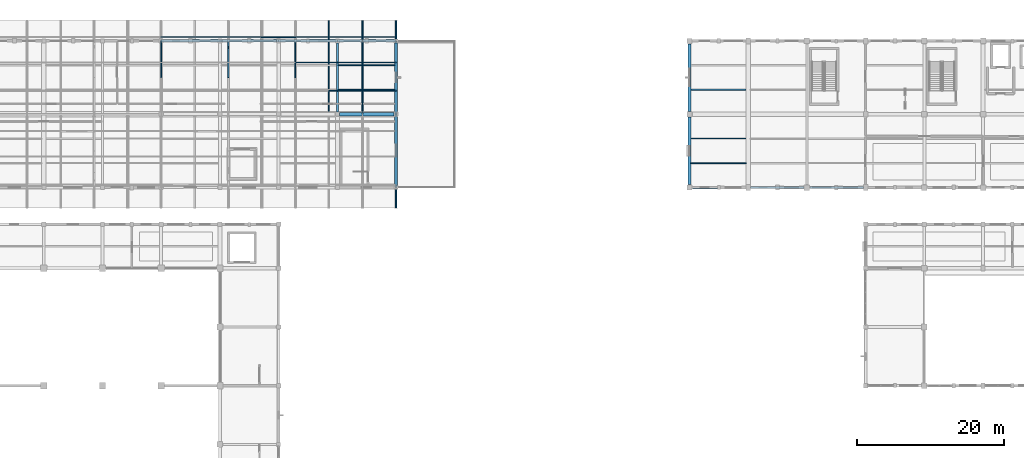
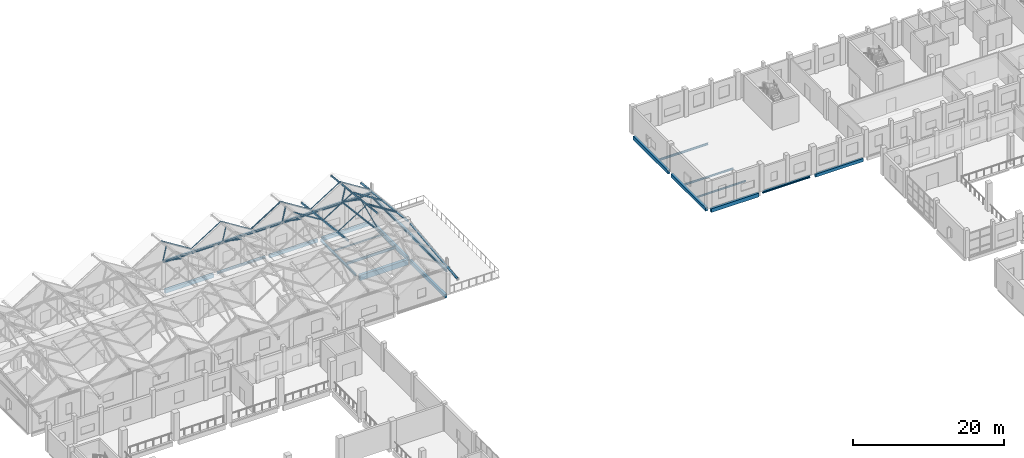
# One storey, part 67 of 183: 28 beams, 22 members.
"""IFC4 building model written with IfcOpenShell, lengths in metres."""

from ifc_helpers import new_model, si_unit, direction, frame, origin, origin_2d, place, context, subcontext, project, spatial, rectangle, hollow_rectangle, hollow_circle, i_section, extrude, material, material_profile, profile_set, type_object, element, save


model = new_model("IFC4")

# Units and contexts
model_context = context("Model", 3, precision=1e-05, world=origin(), true_north=direction((0.0, 1.0)))
body_context = subcontext(model_context, "Body", "Model", "MODEL_VIEW")
ifc_project = project(units=[si_unit("LENGTHUNIT", "METRE"), si_unit("AREAUNIT", "SQUARE_METRE"), si_unit("VOLUMEUNIT", "CUBIC_METRE"), si_unit("PLANEANGLEUNIT", "RADIAN"), si_unit("MASSUNIT", "GRAM", prefix="KILO")], contexts=[model_context])

# Site, building, storey
site_placement = place(None, origin())
site = spatial("IfcSite", under=ifc_project, at=site_placement, CompositionType="ELEMENT")
building_placement = place(site_placement, origin())
building = spatial("IfcBuilding", under=site, at=building_placement, Name="Luwemba Playhouse", CompositionType="ELEMENT")
storey_placement = place(building_placement, frame((0.0, 0.0, 4.800048828125)))
storey = spatial("IfcBuildingStorey", under=building, at=storey_placement, Name="L01", CompositionType="ELEMENT", Elevation=4.800048828125)

# Beams
ifc_material_1 = material(Name="Concrete C40/50", Category="concrete")
ifc_material_profile_1 = material_profile(ifc_material_1, rectangle(XDim=0.449951171875, YDim=0.85009765625, at=origin_2d()))
ifc_profile_set_1 = profile_set([ifc_material_profile_1], Name="Concrete C40/50")
beam_type_1 = type_object("IfcBeamType", Name="BM-RB05", PredefinedType="BEAM", material=ifc_profile_set_1)
beam_1_placement = place(storey_placement, frame((60.300048828125, 105.0, -0.675048828125), z_axis=(1.0, 0.0, 0.0), x_axis=(0.0, 1.0, 0.0)))
element("IfcBeam", 1, at=beam_1_placement, inside=storey, type_object=beam_type_1, Name="L01 grid girder 0577", PredefinedType="BEAM", context=body_context, shape_type="SweptSolid", body=[
    extrude(rectangle(XDim=0.449951171875, YDim=0.85009765625, at=origin_2d()), origin(), (0.0, 0.0, 1.0), 7.39990234375),
])
ifc_material_2 = material(Name="Steel S355", Category="steel")
ifc_material_profile_2 = material_profile(ifc_material_2, hollow_rectangle(XDim=0.199951171875, YDim=0.300048828125, WallThickness=0.012451171875, InnerFilletRadius=0.018798828125, OuterFilletRadius=0.03125, at=origin_2d()))
ifc_profile_set_2 = profile_set([ifc_material_profile_2], Name="Steel S355")
beam_type_2 = type_object("IfcBeamType", Name="BM-RTG2", PredefinedType="USERDEFINED", material=ifc_profile_set_2)
beam_2_placement = place(storey_placement, frame((58.857177734375, 105.35009765625, 5.55859375), z_axis=(0.0, 0.993767931543, -0.111468821814), x_axis=(-1.0, 0.0, 0.0)))
element("IfcBeam", 2, at=beam_2_placement, inside=storey, type_object=beam_type_2, Name="ROOF TRUSS valley girder 0390", ObjectType="ROOF TRUSS", PredefinedType="USERDEFINED", context=body_context, shape_type="SweptSolid", body=[
    extrude(hollow_rectangle(XDim=0.199951171875, YDim=0.300048828125, WallThickness=0.012451171875, InnerFilletRadius=0.018798828125, OuterFilletRadius=0.03125, at=origin_2d()), origin(), (0.0, 0.0, 1.0), 12.528076171875),
])
ifc_material_profile_3 = material_profile(ifc_material_2, hollow_circle(Radius=0.136474609375, WallThickness=0.012451171875, at=origin_2d()))
ifc_profile_set_3 = profile_set([ifc_material_profile_3], Name="Steel S355")
beam_type_3 = type_object("IfcBeamType", Name="BM-RTG3", PredefinedType="USERDEFINED", material=ifc_profile_set_3)
beam_3_placement = place(storey_placement, frame((63.4287109375, 105.35009765625, 8.329345703125), z_axis=(0.0, 0.993767931543, -0.111468821814), x_axis=(-1.0, 0.0, 0.0)))
element("IfcBeam", 3, at=beam_3_placement, inside=storey, type_object=beam_type_3, Name="ROOF TRUSS ridge girder 0392", ObjectType="ROOF TRUSS", PredefinedType="USERDEFINED", context=body_context, shape_type="SweptSolid", body=[
    extrude(hollow_circle(Radius=0.136474609375, WallThickness=0.012451171875, at=origin_2d()), origin(), (0.0, 0.0, 1.0), 12.528076171875),
])
ifc_material_profile_4 = material_profile(ifc_material_2, hollow_circle(Radius=0.161865234375, WallThickness=0.01611328125, at=origin_2d()))
ifc_profile_set_4 = profile_set([ifc_material_profile_4], Name="Steel S355")
beam_type_4 = type_object("IfcBeamType", Name="BM-RTG4", PredefinedType="USERDEFINED", material=ifc_profile_set_4)
for number, where, z_axis, x_axis, name in (
    (4, (68.0, 92.199951171875, 4.150146484375), (0.0, 0.993767931543, 0.111468821814), (-1.0, 0.0, 0.0), "ROOF TRUSS valley girder 0393"),
    (5, (68.0, 105.35009765625, 5.546630859375), (0.0, 0.993767931543, -0.111468821814), (-1.0, 0.0, 0.0), "ROOF TRUSS valley girder 0394"),
):
    element("IfcBeam", number, at=place(storey_placement, frame(where, z_axis=z_axis, x_axis=x_axis)), inside=storey, type_object=beam_type_4, Name=name, ObjectType="ROOF TRUSS", PredefinedType="USERDEFINED", context=body_context, shape_type="SweptSolid", body=[
        extrude(hollow_circle(Radius=0.161865234375, WallThickness=0.01611328125, at=origin_2d()), origin(), (0.0, 0.0, 1.0), 12.528076171875),
    ])
ifc_material_profile_5 = material_profile(ifc_material_2, i_section(OverallWidth=0.280029296875, OverallDepth=0.27001953125, WebThickness=0.008056640625, FlangeThickness=0.012939453125, FilletRadius=0.02392578125, at=origin_2d()))
ifc_profile_set_5 = profile_set([ifc_material_profile_5], Name="Steel S355")
beam_type_5 = type_object("IfcBeamType", Name="BM-SB02", PredefinedType="BEAM", material=ifc_profile_set_5)
beam_4_placement = place(storey_placement, frame((60.0, 105.300048828125, -0.385009765625), z_axis=(0.0, 1.0, 0.0), x_axis=(-1.0, 0.0, 0.0)))
element("IfcBeam", 6, at=beam_4_placement, inside=storey, type_object=beam_type_5, Name="L01 transverse girder 0599", PredefinedType="BEAM", context=body_context, shape_type="SweptSolid", body=[
    extrude(i_section(OverallWidth=0.280029296875, OverallDepth=0.27001953125, WebThickness=0.008056640625, FlangeThickness=0.012939453125, FilletRadius=0.02392578125, at=origin_2d()), origin(), (0.0, 0.0, 1.0), 9.39990234375),
])
ifc_material_profile_6 = material_profile(ifc_material_2, i_section(OverallWidth=0.300048828125, OverallDepth=0.360107421875, WebThickness=0.012451171875, FlangeThickness=0.0224609375, FilletRadius=0.027099609375, at=origin_2d()))
ifc_profile_set_6 = profile_set([ifc_material_profile_6], Name="Steel S355")
beam_type_6 = type_object("IfcBeamType", Name="BM-SB09", PredefinedType="BEAM", material=ifc_profile_set_6)
for number, where, z_axis, x_axis, name in (
    (7, (36.0, 115.0, 4.320068359375), (1.0, 0.0, 0.0), (0.0, 1.0, 0.0), "RF-V6W eave ring beam 0354"),
    (8, (44.0, 115.0, 4.320068359375), (1.0, 0.0, 0.0), (0.0, 1.0, 0.0), "RF-V6W eave ring beam 0355"),
    (9, (52.0, 115.0, 4.320068359375), (1.0, 0.0, 0.0), (0.0, 1.0, 0.0), "RF-V6W eave ring beam 0356"),
    (10, (60.0, 115.0, 4.320068359375), (1.0, 0.0, 0.0), (0.0, 1.0, 0.0), "RF-V6W eave ring beam 0357"),
):
    element("IfcBeam", number, at=place(storey_placement, frame(where, z_axis=z_axis, x_axis=x_axis)), inside=storey, type_object=beam_type_6, Name=name, PredefinedType="BEAM", context=body_context, shape_type="SweptSolid", body=[
        extrude(i_section(OverallWidth=0.300048828125, OverallDepth=0.360107421875, WebThickness=0.012451171875, FlangeThickness=0.0224609375, FilletRadius=0.027099609375, at=origin_2d()), origin(), (0.0, 0.0, 1.0), 8.0),
    ])
for number, where, z_axis, x_axis, name in (
    (11, (68.0, 95.0, 3.780029296875), (0.0, 1.0, 0.0), (-1.0, 0.0, 0.0), "RF-V6W gable ring beam 0360"),
    (12, (68.0, 105.0, 3.780029296875), (0.0, 1.0, 0.0), (-1.0, 0.0, 0.0), "RF-V6W gable ring beam 0361"),
):
    element("IfcBeam", number, at=place(storey_placement, frame(where, z_axis=z_axis, x_axis=x_axis)), inside=storey, type_object=beam_type_6, Name=name, PredefinedType="BEAM", context=body_context, shape_type="SweptSolid", body=[
        extrude(i_section(OverallWidth=0.300048828125, OverallDepth=0.360107421875, WebThickness=0.012451171875, FlangeThickness=0.0224609375, FilletRadius=0.027099609375, at=origin_2d()), origin(), (0.0, 0.0, 1.0), 10.0),
    ])
ifc_material_profile_7 = material_profile(ifc_material_2, i_section(OverallWidth=0.1201171875, OverallDepth=0.239990234375, WebThickness=0.006103515625, FlangeThickness=0.009765625, FilletRadius=0.014892578125, at=origin_2d()))
ifc_profile_set_7 = profile_set([ifc_material_profile_7], Name="Steel S355")
beam_type_7 = type_object("IfcBeamType", Name="BM-SJ03", PredefinedType="JOIST", material=ifc_profile_set_7)
beam_5_placement = place(storey_placement, frame((60.135986328125, 111.666748046875, -0.3701171875), z_axis=(1.0, 0.0, 0.0), x_axis=(0.0, 1.0, 0.0)))
element("IfcBeam", 13, at=beam_5_placement, inside=storey, type_object=beam_type_7, Name="L01 composite floor joist 0364", PredefinedType="JOIST", context=body_context, shape_type="SweptSolid", body=[
    extrude(i_section(OverallWidth=0.1201171875, OverallDepth=0.239990234375, WebThickness=0.006103515625, FlangeThickness=0.009765625, FilletRadius=0.014892578125, at=origin_2d()), origin(), (0.0, 0.0, 1.0), 7.693115234375),
])
ifc_material_profile_8 = material_profile(ifc_material_2, i_section(OverallWidth=0.135009765625, OverallDepth=0.27001953125, WebThickness=0.006591796875, FlangeThickness=0.01025390625, FilletRadius=0.014892578125, at=origin_2d()))
ifc_profile_set_8 = profile_set([ifc_material_profile_8], Name="Steel S355")
beam_type_8 = type_object("IfcBeamType", Name="BM-SJ04", PredefinedType="JOIST", material=ifc_profile_set_8)
beam_6_placement = place(storey_placement, frame((108.1708984375, 98.333251953125, -0.385009765625), z_axis=(1.0, 0.0, 0.0), x_axis=(0.0, 1.0, 0.0)))
element("IfcBeam", 14, at=beam_6_placement, inside=storey, type_object=beam_type_8, Name="L01 composite floor joist 0365", PredefinedType="JOIST", context=body_context, shape_type="SweptSolid", body=[
    extrude(i_section(OverallWidth=0.135009765625, OverallDepth=0.27001953125, WebThickness=0.006591796875, FlangeThickness=0.01025390625, FilletRadius=0.014892578125, at=origin_2d()), origin(), (0.0, 0.0, 1.0), 7.533203125),
])
ifc_material_profile_9 = material_profile(ifc_material_2, i_section(OverallWidth=0.14990234375, OverallDepth=0.300048828125, WebThickness=0.007080078125, FlangeThickness=0.0107421875, FilletRadius=0.014892578125, at=origin_2d()))
ifc_profile_set_9 = profile_set([ifc_material_profile_9], Name="Steel S355")
beam_type_9 = type_object("IfcBeamType", Name="BM-SJ05", PredefinedType="JOIST", material=ifc_profile_set_9)
beam_7_placement = place(storey_placement, frame((108.1708984375, 101.666748046875, -0.400146484375), z_axis=(1.0, 0.0, 0.0), x_axis=(0.0, 1.0, 0.0)))
element("IfcBeam", 15, at=beam_7_placement, inside=storey, type_object=beam_type_9, Name="L01 composite floor joist 0366", PredefinedType="JOIST", context=body_context, shape_type="SweptSolid", body=[
    extrude(i_section(OverallWidth=0.14990234375, OverallDepth=0.300048828125, WebThickness=0.007080078125, FlangeThickness=0.0107421875, FilletRadius=0.014892578125, at=origin_2d()), origin(), (0.0, 0.0, 1.0), 7.533203125),
])
ifc_material_profile_10 = material_profile(ifc_material_2, i_section(OverallWidth=0.159912109375, OverallDepth=0.330078125, WebThickness=0.007568359375, FlangeThickness=0.011474609375, FilletRadius=0.01806640625, at=origin_2d()))
ifc_profile_set_10 = profile_set([ifc_material_profile_10], Name="Steel S355")
beam_type_10 = type_object("IfcBeamType", Name="BM-SJ06", PredefinedType="JOIST", material=ifc_profile_set_10)
beam_8_placement = place(storey_placement, frame((108.1708984375, 108.333251953125, -0.4150390625), z_axis=(1.0, 0.0, 0.0), x_axis=(0.0, 1.0, 0.0)))
element("IfcBeam", 16, at=beam_8_placement, inside=storey, type_object=beam_type_10, Name="L01 composite floor joist 0367", PredefinedType="JOIST", context=body_context, shape_type="SweptSolid", body=[
    extrude(i_section(OverallWidth=0.159912109375, OverallDepth=0.330078125, WebThickness=0.007568359375, FlangeThickness=0.011474609375, FilletRadius=0.01806640625, at=origin_2d()), origin(), (0.0, 0.0, 1.0), 7.533203125),
])
ifc_material_profile_11 = material_profile(ifc_material_2, i_section(OverallWidth=0.179931640625, OverallDepth=0.39990234375, WebThickness=0.008544921875, FlangeThickness=0.013427734375, FilletRadius=0.02099609375, at=origin_2d()))
ifc_profile_set_11 = profile_set([ifc_material_profile_11], Name="Steel S355")
beam_type_11 = type_object("IfcBeamType", Name="BM-SJ08", PredefinedType="JOIST", material=ifc_profile_set_11)
beam_9_placement = place(storey_placement, frame((60.135986328125, 108.333251953125, -0.449951171875), z_axis=(1.0, 0.0, 0.0), x_axis=(0.0, 1.0, 0.0)))
element("IfcBeam", 17, at=beam_9_placement, inside=storey, type_object=beam_type_11, Name="L01 composite floor joist 0363", PredefinedType="JOIST", context=body_context, shape_type="SweptSolid", body=[
    extrude(i_section(OverallWidth=0.179931640625, OverallDepth=0.39990234375, WebThickness=0.008544921875, FlangeThickness=0.013427734375, FilletRadius=0.02099609375, at=origin_2d()), origin(), (0.0, 0.0, 1.0), 7.693115234375),
])
ifc_material_profile_12 = material_profile(ifc_material_1, rectangle(XDim=0.300048828125, YDim=0.5, at=origin_2d()))
ifc_profile_set_12 = profile_set([ifc_material_profile_12], Name="Concrete C40/50")
beam_type_12 = type_object("IfcBeamType", Name="BM-SP1", PredefinedType="SPANDREL", material=ifc_profile_set_12)
beam_10_placement = place(storey_placement, frame((52.300048828125, 115.0, -0.5), z_axis=(1.0, 0.0, 0.0), x_axis=(0.0, 1.0, 0.0)))
element("IfcBeam", 18, at=beam_10_placement, inside=storey, type_object=beam_type_12, Name="L01 grid girder 0584", PredefinedType="SPANDREL", context=body_context, shape_type="SweptSolid", body=[
    extrude(rectangle(XDim=0.300048828125, YDim=0.5, at=origin_2d()), origin(), (0.0, 0.0, 1.0), 7.39990234375),
])
beam_11_placement = place(storey_placement, frame((124.39990234375, 95.0, -0.5), z_axis=(1.0, 0.0, 0.0), x_axis=(0.0, 1.0, 0.0)))
element("IfcBeam", 19, at=beam_11_placement, inside=storey, type_object=beam_type_12, Name="L01 grid girder 0604", PredefinedType="SPANDREL", context=body_context, shape_type="SweptSolid", body=[
    extrude(rectangle(XDim=0.300048828125, YDim=0.5, at=origin_2d()), origin(), (0.0, 0.0, 1.0), 7.300048828125),
])
ifc_material_profile_13 = material_profile(ifc_material_1, rectangle(XDim=0.35009765625, YDim=0.550048828125, at=origin_2d()))
ifc_profile_set_13 = profile_set([ifc_material_profile_13], Name="Concrete C40/50")
beam_type_13 = type_object("IfcBeamType", Name="BM-SP2", PredefinedType="SPANDREL", material=ifc_profile_set_13)
beam_12_placement = place(storey_placement, frame((60.300048828125, 115.0, -0.525146484375), z_axis=(1.0, 0.0, 0.0), x_axis=(0.0, 1.0, 0.0)))
element("IfcBeam", 20, at=beam_12_placement, inside=storey, type_object=beam_type_13, Name="L01 grid girder 0585", PredefinedType="SPANDREL", context=body_context, shape_type="SweptSolid", body=[
    extrude(rectangle(XDim=0.35009765625, YDim=0.550048828125, at=origin_2d()), origin(), (0.0, 0.0, 1.0), 7.39990234375),
])
beam_13_placement = place(storey_placement, frame((68.0, 95.300048828125, -0.525146484375), z_axis=(0.0, 1.0, 0.0), x_axis=(-1.0, 0.0, 0.0)))
element("IfcBeam", 21, at=beam_13_placement, inside=storey, type_object=beam_type_13, Name="L01 transverse girder 0600", PredefinedType="SPANDREL", context=body_context, shape_type="SweptSolid", body=[
    extrude(rectangle(XDim=0.35009765625, YDim=0.550048828125, at=origin_2d()), origin(), (0.0, 0.0, 1.0), 9.39990234375),
])
beam_14_placement = place(storey_placement, frame((108.0, 95.39990234375, -0.525146484375), z_axis=(0.0, 1.0, 0.0), x_axis=(-1.0, 0.0, 0.0)))
element("IfcBeam", 22, at=beam_14_placement, inside=storey, type_object=beam_type_13, Name="L01 transverse girder 0624", PredefinedType="SPANDREL", context=body_context, shape_type="SweptSolid", body=[
    extrude(rectangle(XDim=0.35009765625, YDim=0.550048828125, at=origin_2d()), origin(), (0.0, 0.0, 1.0), 9.2001953125),
])
ifc_material_profile_14 = material_profile(ifc_material_1, rectangle(XDim=0.35009765625, YDim=0.60009765625, at=origin_2d()))
ifc_profile_set_14 = profile_set([ifc_material_profile_14], Name="Concrete C40/50")
beam_type_14 = type_object("IfcBeamType", Name="BM-SP3", PredefinedType="SPANDREL", material=ifc_profile_set_14)
beam_15_placement = place(storey_placement, frame((36.300048828125, 115.0, -0.550048828125), z_axis=(1.0, 0.0, 0.0), x_axis=(0.0, 1.0, 0.0)))
element("IfcBeam", 23, at=beam_15_placement, inside=storey, type_object=beam_type_14, Name="L01 grid girder 0582", PredefinedType="SPANDREL", context=body_context, shape_type="SweptSolid", body=[
    extrude(rectangle(XDim=0.35009765625, YDim=0.60009765625, at=origin_2d()), origin(), (0.0, 0.0, 1.0), 7.39990234375),
])
beam_16_placement = place(storey_placement, frame((68.0, 105.300048828125, -0.550048828125), z_axis=(0.0, 1.0, 0.0), x_axis=(-1.0, 0.0, 0.0)))
element("IfcBeam", 24, at=beam_16_placement, inside=storey, type_object=beam_type_14, Name="L01 transverse girder 0601", PredefinedType="SPANDREL", context=body_context, shape_type="SweptSolid", body=[
    extrude(rectangle(XDim=0.35009765625, YDim=0.60009765625, at=origin_2d()), origin(), (0.0, 0.0, 1.0), 9.39990234375),
])
beam_17_placement = place(storey_placement, frame((108.39990234375, 95.0, -0.550048828125), z_axis=(1.0, 0.0, 0.0), x_axis=(0.0, 1.0, 0.0)))
element("IfcBeam", 25, at=beam_17_placement, inside=storey, type_object=beam_type_14, Name="L01 grid girder 0602", PredefinedType="SPANDREL", context=body_context, shape_type="SweptSolid", body=[
    extrude(rectangle(XDim=0.35009765625, YDim=0.60009765625, at=origin_2d()), origin(), (0.0, 0.0, 1.0), 7.300048828125),
])
beam_18_placement = place(storey_placement, frame((108.0, 105.39990234375, -0.550048828125), z_axis=(0.0, 1.0, 0.0), x_axis=(-1.0, 0.0, 0.0)))
element("IfcBeam", 26, at=beam_18_placement, inside=storey, type_object=beam_type_14, Name="L01 transverse girder 0625", PredefinedType="SPANDREL", context=body_context, shape_type="SweptSolid", body=[
    extrude(rectangle(XDim=0.35009765625, YDim=0.60009765625, at=origin_2d()), origin(), (0.0, 0.0, 1.0), 9.2001953125),
])
ifc_material_profile_15 = material_profile(ifc_material_2, i_section(OverallWidth=0.300048828125, OverallDepth=0.300048828125, WebThickness=0.010986328125, FlangeThickness=0.01904296875, FilletRadius=0.027099609375, at=origin_2d()))
ifc_profile_set_15 = profile_set([ifc_material_profile_15], Name="Steel S355")
beam_type_15 = type_object("IfcBeamType", Name="BM-SSP1", PredefinedType="SPANDREL", material=ifc_profile_set_15)
beam_19_placement = place(storey_placement, frame((44.300048828125, 115.0, -0.400146484375), z_axis=(1.0, 0.0, 0.0), x_axis=(0.0, 1.0, 0.0)))
element("IfcBeam", 27, at=beam_19_placement, inside=storey, type_object=beam_type_15, Name="L01 grid girder 0583", PredefinedType="SPANDREL", context=body_context, shape_type="SweptSolid", body=[
    extrude(i_section(OverallWidth=0.300048828125, OverallDepth=0.300048828125, WebThickness=0.010986328125, FlangeThickness=0.01904296875, FilletRadius=0.027099609375, at=origin_2d()), origin(), (0.0, 0.0, 1.0), 7.39990234375),
])
beam_20_placement = place(storey_placement, frame((116.300048828125, 95.0, -0.400146484375), z_axis=(1.0, 0.0, 0.0), x_axis=(0.0, 1.0, 0.0)))
element("IfcBeam", 28, at=beam_20_placement, inside=storey, type_object=beam_type_15, Name="L01 grid girder 0603", PredefinedType="SPANDREL", context=body_context, shape_type="SweptSolid", body=[
    extrude(i_section(OverallWidth=0.300048828125, OverallDepth=0.300048828125, WebThickness=0.010986328125, FlangeThickness=0.01904296875, FilletRadius=0.027099609375, at=origin_2d()), origin(), (0.0, 0.0, 1.0), 7.300048828125),
])

# Members
ifc_material_profile_16 = material_profile(ifc_material_2, hollow_circle(Radius=0.06982421875, WallThickness=0.008056640625, at=origin_2d()))
ifc_profile_set_16 = profile_set([ifc_material_profile_16], Name="Steel S355")
member_type_1 = type_object("IfcMemberType", Name="MEM-MB01", PredefinedType="BRACE", material=ifc_profile_set_16)
member_1_placement = place(storey_placement, frame((54.28564453125, 115.0, 4.39990234375), z_axis=(0.0, -0.822445108681, 0.568844480686), x_axis=(1.0, 0.0, 0.0)))
element("IfcMember", 29, at=member_1_placement, inside=storey, type_object=member_type_1, Name="ROOF TRUSS web diagonal 0342", PredefinedType="BRACE", context=body_context, shape_type="SweptSolid", body=[
    extrude(hollow_circle(Radius=0.06982421875, WallThickness=0.008056640625, at=origin_2d()), origin(), (0.0, 0.0, 1.0), 6.079345703125),
])
member_2_placement = place(storey_placement, frame((54.28564453125, 115.0, 4.39990234375), z_axis=(0.0, -0.287469518343, 0.95778978697), x_axis=(1.0, 0.0, 0.0)))
element("IfcMember", 30, at=member_2_placement, inside=storey, type_object=member_type_1, Name="ROOF TRUSS eave knee strut 0097", PredefinedType="BRACE", context=body_context, shape_type="SweptSolid", body=[
    extrude(hollow_circle(Radius=0.06982421875, WallThickness=0.008056640625, at=origin_2d()), origin(), (0.0, 0.0, 1.0), 3.13037109375),
])
ifc_material_profile_17 = material_profile(ifc_material_2, hollow_circle(Radius=0.084228515625, WallThickness=0.008056640625, at=origin_2d()))
ifc_profile_set_17 = profile_set([ifc_material_profile_17], Name="Steel S355")
member_type_2 = type_object("IfcMemberType", Name="MEM-MB02", PredefinedType="BRACE", material=ifc_profile_set_17)
member_3_placement = place(storey_placement, frame((36.0, 115.0, 4.39990234375), z_axis=(0.0, -0.822463896527, 0.568817315938), x_axis=(1.0, 0.0, 0.0)))
element("IfcMember", 31, at=member_3_placement, inside=storey, type_object=member_type_2, Name="ROOF TRUSS web diagonal 0330", PredefinedType="BRACE", context=body_context, shape_type="SweptSolid", body=[
    extrude(hollow_circle(Radius=0.084228515625, WallThickness=0.008056640625, at=origin_2d()), origin(), (0.0, 0.0, 1.0), 6.079345703125),
])
member_4_placement = place(storey_placement, frame((36.0, 115.0, 4.39990234375), z_axis=(0.0, -0.287469518343, 0.95778978697), x_axis=(1.0, 0.0, 0.0)))
element("IfcMember", 32, at=member_4_placement, inside=storey, type_object=member_type_2, Name="ROOF TRUSS eave knee strut 0093", PredefinedType="BRACE", context=body_context, shape_type="SweptSolid", body=[
    extrude(hollow_circle(Radius=0.084228515625, WallThickness=0.008056640625, at=origin_2d()), origin(), (0.0, 0.0, 1.0), 3.13037109375),
])
ifc_material_profile_18 = material_profile(ifc_material_2, hollow_rectangle(XDim=0.10009765625, YDim=0.10009765625, WallThickness=0.00634765625, InnerFilletRadius=0.009521484375, OuterFilletRadius=0.015869140625, at=origin_2d()))
ifc_profile_set_18 = profile_set([ifc_material_profile_18], Name="Steel S355")
member_type_3 = type_object("IfcMemberType", Name="MEM-MB05", PredefinedType="BRACE", material=ifc_profile_set_18)
member_5_placement = place(storey_placement, frame((63.4287109375, 105.0, 5.6416015625), z_axis=(0.0, 0.917582865909, 0.397544568809), x_axis=(-1.0, 0.0, 0.0)))
element("IfcMember", 33, at=member_5_placement, inside=storey, type_object=member_type_3, Name="ROOF TRUSS web diagonal 0347", PredefinedType="BRACE", context=body_context, shape_type="SweptSolid", body=[
    extrude(hollow_rectangle(XDim=0.10009765625, YDim=0.10009765625, WallThickness=0.00634765625, InnerFilletRadius=0.009521484375, OuterFilletRadius=0.015869140625, at=origin_2d()), origin(), (0.0, 0.0, 1.0), 5.44921875),
])
member_6_placement = place(storey_placement, frame((63.4287109375, 115.0, 4.39990234375), z_axis=(0.0, -0.826314401339, 0.563209117593), x_axis=(1.0, 0.0, 0.0)))
element("IfcMember", 34, at=member_6_placement, inside=storey, type_object=member_type_3, Name="ROOF TRUSS web diagonal 0348", PredefinedType="BRACE", context=body_context, shape_type="SweptSolid", body=[
    extrude(hollow_rectangle(XDim=0.10009765625, YDim=0.10009765625, WallThickness=0.00634765625, InnerFilletRadius=0.009521484375, OuterFilletRadius=0.015869140625, at=origin_2d()), origin(), (0.0, 0.0, 1.0), 6.051025390625),
])
member_7_placement = place(storey_placement, frame((63.4287109375, 115.0, 4.39990234375), z_axis=(0.0, -0.291958934331, 0.95643085514), x_axis=(1.0, 0.0, 0.0)))
element("IfcMember", 35, at=member_7_placement, inside=storey, type_object=member_type_3, Name="ROOF TRUSS eave knee strut 0099", PredefinedType="BRACE", context=body_context, shape_type="SweptSolid", body=[
    extrude(hollow_rectangle(XDim=0.10009765625, YDim=0.10009765625, WallThickness=0.00634765625, InnerFilletRadius=0.009521484375, OuterFilletRadius=0.015869140625, at=origin_2d()), origin(), (0.0, 0.0, 1.0), 3.082275390625),
])
ifc_material_profile_19 = material_profile(ifc_material_2, hollow_rectangle(XDim=0.1201171875, YDim=0.1201171875, WallThickness=0.008056640625, InnerFilletRadius=0.011962890625, OuterFilletRadius=0.02001953125, at=origin_2d()))
ifc_profile_set_19 = profile_set([ifc_material_profile_19], Name="Steel S355")
member_type_4 = type_object("IfcMemberType", Name="MEM-MB06", PredefinedType="BRACE", material=ifc_profile_set_19)
member_8_placement = place(storey_placement, frame((45.142822265625, 115.0, 4.39990234375), z_axis=(0.0, -0.826314401339, 0.563209117593), x_axis=(1.0, 0.0, 0.0)))
element("IfcMember", 36, at=member_8_placement, inside=storey, type_object=member_type_4, Name="ROOF TRUSS web diagonal 0336", PredefinedType="BRACE", context=body_context, shape_type="SweptSolid", body=[
    extrude(hollow_rectangle(XDim=0.1201171875, YDim=0.1201171875, WallThickness=0.008056640625, InnerFilletRadius=0.011962890625, OuterFilletRadius=0.02001953125, at=origin_2d()), origin(), (0.0, 0.0, 1.0), 6.051025390625),
])
member_9_placement = place(storey_placement, frame((45.142822265625, 115.0, 4.39990234375), z_axis=(0.0, -0.291958934331, 0.95643085514), x_axis=(1.0, 0.0, 0.0)))
element("IfcMember", 37, at=member_9_placement, inside=storey, type_object=member_type_4, Name="ROOF TRUSS eave knee strut 0095", PredefinedType="BRACE", context=body_context, shape_type="SweptSolid", body=[
    extrude(hollow_rectangle(XDim=0.1201171875, YDim=0.1201171875, WallThickness=0.008056640625, InnerFilletRadius=0.011962890625, OuterFilletRadius=0.02001953125, at=origin_2d()), origin(), (0.0, 0.0, 1.0), 3.082275390625),
])
ifc_material_profile_20 = material_profile(ifc_material_2, hollow_rectangle(XDim=0.179931640625, YDim=0.179931640625, WallThickness=0.010009765625, InnerFilletRadius=0.014892578125, OuterFilletRadius=0.02490234375, at=origin_2d()))
ifc_profile_set_20 = profile_set([ifc_material_profile_20], Name="Steel S355")
member_type_5 = type_object("IfcMemberType", Name="MEM-MC03", PredefinedType="CHORD", material=ifc_profile_set_20)
member_10_placement = place(storey_placement, frame((63.4287109375, 105.0, 5.6416015625), z_axis=(0.0, 0.992378930096, -0.12322361422), x_axis=(-1.0, 0.0, 0.0)))
element("IfcMember", 38, at=member_10_placement, inside=storey, type_object=member_type_5, Name="ROOF TRUSS north bottom chord 0344", PredefinedType="CHORD", context=body_context, shape_type="SweptSolid", body=[
    extrude(hollow_rectangle(XDim=0.179931640625, YDim=0.179931640625, WallThickness=0.010009765625, InnerFilletRadius=0.014892578125, OuterFilletRadius=0.02490234375, at=origin_2d()), origin(), (0.0, 0.0, 1.0), 10.076904296875),
])
ifc_material_profile_21 = material_profile(ifc_material_2, hollow_rectangle(XDim=0.080078125, YDim=0.1201171875, WallThickness=0.00634765625, InnerFilletRadius=0.009521484375, OuterFilletRadius=0.015869140625, at=origin_2d()))
ifc_profile_set_21 = profile_set([ifc_material_profile_21], Name="Steel S355")
member_type_6 = type_object("IfcMemberType", Name="MEM-MP01", PredefinedType="PURLIN", material=ifc_profile_set_21)
member_11_placement = place(storey_placement, frame((45.142822265625, 115.49609375, 7.342529296875), z_axis=(0.846249443207, 0.0, -0.532786899117), x_axis=(0.0, 1.0, 0.0)))
element("IfcMember", 39, at=member_11_placement, inside=storey, type_object=member_type_6, Name="Pleated roof purlin 0672", PredefinedType="PURLIN", context=body_context, shape_type="SweptSolid", body=[
    extrude(hollow_rectangle(XDim=0.080078125, YDim=0.1201171875, WallThickness=0.00634765625, InnerFilletRadius=0.009521484375, OuterFilletRadius=0.015869140625, at=origin_2d()), origin(), (0.0, 0.0, 1.0), 5.402099609375),
])
member_12_placement = place(storey_placement, frame((58.857177734375, 108.199951171875, 5.28271484375), z_axis=(0.84622906663, 0.0, 0.532819262781), x_axis=(0.0, 1.0, 0.0)))
element("IfcMember", 40, at=member_12_placement, inside=storey, type_object=member_type_6, Name="Pleated roof purlin 0688", PredefinedType="PURLIN", context=body_context, shape_type="SweptSolid", body=[
    extrude(hollow_rectangle(XDim=0.080078125, YDim=0.1201171875, WallThickness=0.00634765625, InnerFilletRadius=0.009521484375, OuterFilletRadius=0.015869140625, at=origin_2d()), origin(), (0.0, 0.0, 1.0), 5.40234375),
])
member_13_placement = place(storey_placement, frame((63.4287109375, 115.49609375, 7.342529296875), z_axis=(0.846236613742, 0.0, -0.532807276191), x_axis=(0.0, 1.0, 0.0)))
element("IfcMember", 41, at=member_13_placement, inside=storey, type_object=member_type_6, Name="Pleated roof purlin 0696", PredefinedType="PURLIN", context=body_context, shape_type="SweptSolid", body=[
    extrude(hollow_rectangle(XDim=0.080078125, YDim=0.1201171875, WallThickness=0.00634765625, InnerFilletRadius=0.009521484375, OuterFilletRadius=0.015869140625, at=origin_2d()), origin(), (0.0, 0.0, 1.0), 5.40185546875),
])
ifc_material_profile_22 = material_profile(ifc_material_2, hollow_rectangle(XDim=0.10009765625, YDim=0.14990234375, WallThickness=0.008056640625, InnerFilletRadius=0.011962890625, OuterFilletRadius=0.02001953125, at=origin_2d()))
ifc_profile_set_22 = profile_set([ifc_material_profile_22], Name="Steel S355")
member_type_7 = type_object("IfcMemberType", Name="MEM-MP02", PredefinedType="PURLIN", material=ifc_profile_set_22)
member_14_placement = place(storey_placement, frame((58.857177734375, 112.0400390625, 4.85205078125), z_axis=(0.846249443207, 0.0, 0.532786899117), x_axis=(0.0, 1.0, 0.0)))
element("IfcMember", 42, at=member_14_placement, inside=storey, type_object=member_type_7, Name="Pleated roof purlin 0689", PredefinedType="PURLIN", context=body_context, shape_type="SweptSolid", body=[
    extrude(hollow_rectangle(XDim=0.10009765625, YDim=0.14990234375, WallThickness=0.008056640625, InnerFilletRadius=0.011962890625, OuterFilletRadius=0.02001953125, at=origin_2d()), origin(), (0.0, 0.0, 1.0), 5.402099609375),
])
ifc_material_profile_23 = material_profile(ifc_material_2, hollow_rectangle(XDim=0.080078125, YDim=0.159912109375, WallThickness=0.00634765625, InnerFilletRadius=0.009521484375, OuterFilletRadius=0.015869140625, at=origin_2d()))
ifc_profile_set_23 = profile_set([ifc_material_profile_23], Name="Steel S355")
member_type_8 = type_object("IfcMemberType", Name="MEM-MP03", PredefinedType="PURLIN", material=ifc_profile_set_23)
for number, where, z_axis, x_axis, name in (
    (43, (40.5712890625, 115.49609375, 4.46435546875), (0.846249443207, 0.0, 0.532786899117), (0.0, 1.0, 0.0), "Pleated roof purlin 0666"),
    (44, (58.857177734375, 115.49609375, 4.46435546875), (0.846249443207, 0.0, 0.532786899117), (0.0, 1.0, 0.0), "Pleated roof purlin 0690"),
):
    element("IfcMember", number, at=place(storey_placement, frame(where, z_axis=z_axis, x_axis=x_axis)), inside=storey, type_object=member_type_8, Name=name, PredefinedType="PURLIN", context=body_context, shape_type="SweptSolid", body=[
        extrude(hollow_rectangle(XDim=0.080078125, YDim=0.159912109375, WallThickness=0.00634765625, InnerFilletRadius=0.009521484375, OuterFilletRadius=0.015869140625, at=origin_2d()), origin(), (0.0, 0.0, 1.0), 5.402099609375),
    ])
ifc_material_profile_24 = material_profile(ifc_material_2, hollow_rectangle(XDim=0.10009765625, YDim=0.179931640625, WallThickness=0.008056640625, InnerFilletRadius=0.011962890625, OuterFilletRadius=0.02001953125, at=origin_2d()))
ifc_profile_set_24 = profile_set([ifc_material_profile_24], Name="Steel S355")
member_type_9 = type_object("IfcMemberType", Name="MEM-MP04", PredefinedType="PURLIN", material=ifc_profile_set_24)
member_15_placement = place(storey_placement, frame((54.28564453125, 112.0400390625, 7.72021484375), z_axis=(0.84622906663, 0.0, -0.532819262781), x_axis=(0.0, 1.0, 0.0)))
element("IfcMember", 45, at=member_15_placement, inside=storey, type_object=member_type_9, Name="Pleated roof purlin 0683", PredefinedType="PURLIN", context=body_context, shape_type="SweptSolid", body=[
    extrude(hollow_rectangle(XDim=0.10009765625, YDim=0.179931640625, WallThickness=0.008056640625, InnerFilletRadius=0.011962890625, OuterFilletRadius=0.02001953125, at=origin_2d()), origin(), (0.0, 0.0, 1.0), 5.40234375),
])
ifc_material_profile_25 = material_profile(ifc_material_2, i_section(OverallWidth=0.08203125, OverallDepth=0.159912109375, WebThickness=0.0048828125, FlangeThickness=0.00732421875, FilletRadius=0.009033203125, at=origin_2d()))
ifc_profile_set_25 = profile_set([ifc_material_profile_25], Name="Steel S355")
member_type_10 = type_object("IfcMemberType", Name="MEM-MP05", PredefinedType="PURLIN", material=ifc_profile_set_25)
member_16_placement = place(storey_placement, frame((36.0, 115.49609375, 7.342529296875), z_axis=(0.846236613742, 0.0, -0.532807276191), x_axis=(0.0, 1.0, 0.0)))
element("IfcMember", 46, at=member_16_placement, inside=storey, type_object=member_type_10, Name="Pleated roof purlin 0660", PredefinedType="PURLIN", context=body_context, shape_type="SweptSolid", body=[
    extrude(i_section(OverallWidth=0.08203125, OverallDepth=0.159912109375, WebThickness=0.0048828125, FlangeThickness=0.00732421875, FilletRadius=0.009033203125, at=origin_2d()), origin(), (0.0, 0.0, 1.0), 5.40185546875),
])
member_17_placement = place(storey_placement, frame((54.28564453125, 115.49609375, 7.342529296875), z_axis=(0.846249443207, 0.0, -0.532786899117), x_axis=(0.0, 1.0, 0.0)))
element("IfcMember", 47, at=member_17_placement, inside=storey, type_object=member_type_10, Name="Pleated roof purlin 0684", PredefinedType="PURLIN", context=body_context, shape_type="SweptSolid", body=[
    extrude(i_section(OverallWidth=0.08203125, OverallDepth=0.159912109375, WebThickness=0.0048828125, FlangeThickness=0.00732421875, FilletRadius=0.009033203125, at=origin_2d()), origin(), (0.0, 0.0, 1.0), 5.402099609375),
])
ifc_material_profile_26 = material_profile(ifc_material_2, i_section(OverallWidth=0.10009765625, OverallDepth=0.199951171875, WebThickness=0.005615234375, FlangeThickness=0.008544921875, FilletRadius=0.011962890625, at=origin_2d()))
ifc_profile_set_26 = profile_set([ifc_material_profile_26], Name="Steel S355")
member_type_11 = type_object("IfcMemberType", Name="MEM-MP07", PredefinedType="PURLIN", material=ifc_profile_set_26)
for number, where, z_axis, x_axis, name in (
    (48, (49.71435546875, 115.49609375, 4.444091796875), (0.846216235915, 0.0, 0.532839640111), (0.0, 1.0, 0.0), "Pleated roof purlin 0678"),
    (49, (63.4287109375, 108.199951171875, 8.140869140625), (0.846216235915, 0.0, -0.532839640111), (0.0, 1.0, 0.0), "Pleated roof purlin 0694"),
):
    element("IfcMember", number, at=place(storey_placement, frame(where, z_axis=z_axis, x_axis=x_axis)), inside=storey, type_object=member_type_11, Name=name, PredefinedType="PURLIN", context=body_context, shape_type="SweptSolid", body=[
        extrude(i_section(OverallWidth=0.10009765625, OverallDepth=0.199951171875, WebThickness=0.005615234375, FlangeThickness=0.008544921875, FilletRadius=0.011962890625, at=origin_2d()), origin(), (0.0, 0.0, 1.0), 5.402099609375),
    ])
ifc_material_profile_27 = material_profile(ifc_material_2, i_section(OverallWidth=0.110107421875, OverallDepth=0.219970703125, WebThickness=0.005859375, FlangeThickness=0.00927734375, FilletRadius=0.011962890625, at=origin_2d()))
ifc_profile_set_27 = profile_set([ifc_material_profile_27], Name="Steel S355")
member_type_12 = type_object("IfcMemberType", Name="MEM-MP08", PredefinedType="PURLIN", material=ifc_profile_set_27)
member_18_placement = place(storey_placement, frame((63.4287109375, 112.0400390625, 7.697021484375), z_axis=(0.846216235915, 0.0, -0.532839640111), x_axis=(0.0, 1.0, 0.0)))
element("IfcMember", 50, at=member_18_placement, inside=storey, type_object=member_type_12, Name="Pleated roof purlin 0695", PredefinedType="PURLIN", context=body_context, shape_type="SweptSolid", body=[
    extrude(i_section(OverallWidth=0.110107421875, OverallDepth=0.219970703125, WebThickness=0.005859375, FlangeThickness=0.00927734375, FilletRadius=0.011962890625, at=origin_2d()), origin(), (0.0, 0.0, 1.0), 5.402099609375),
])

save(model, "model.ifc")
